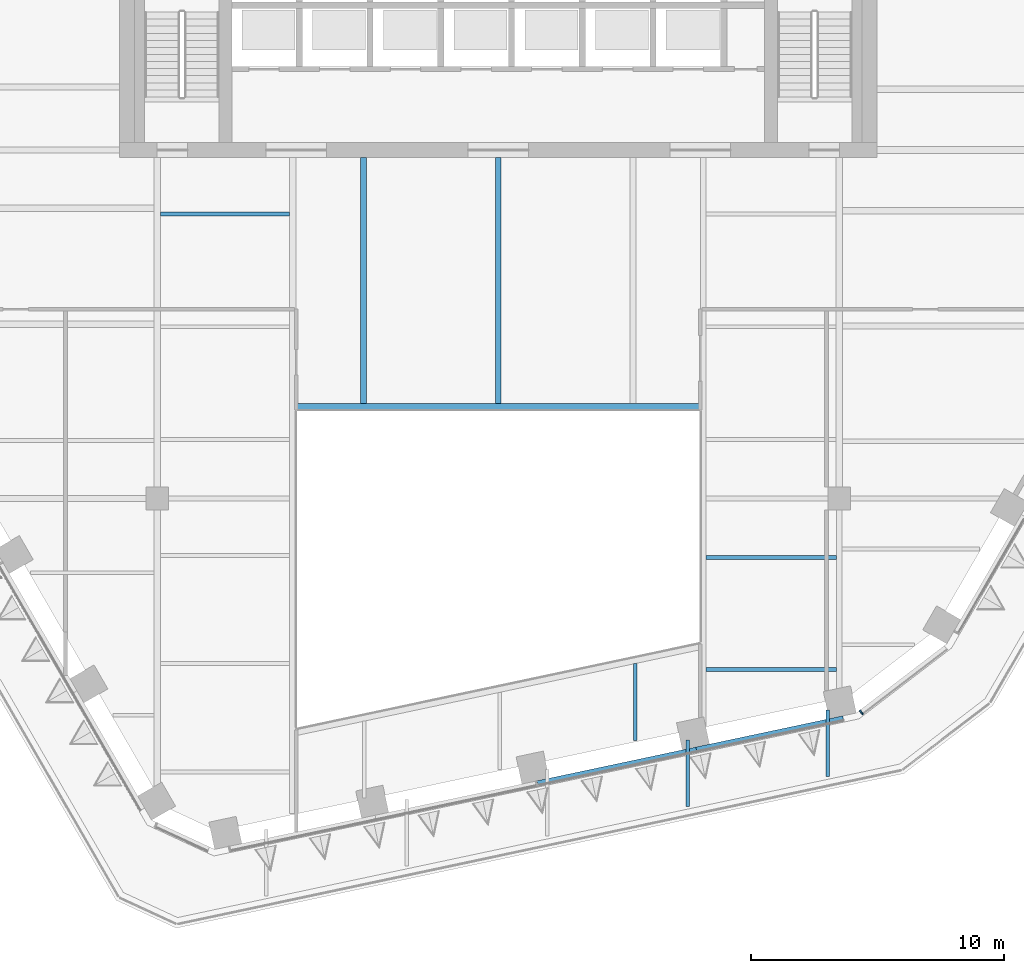
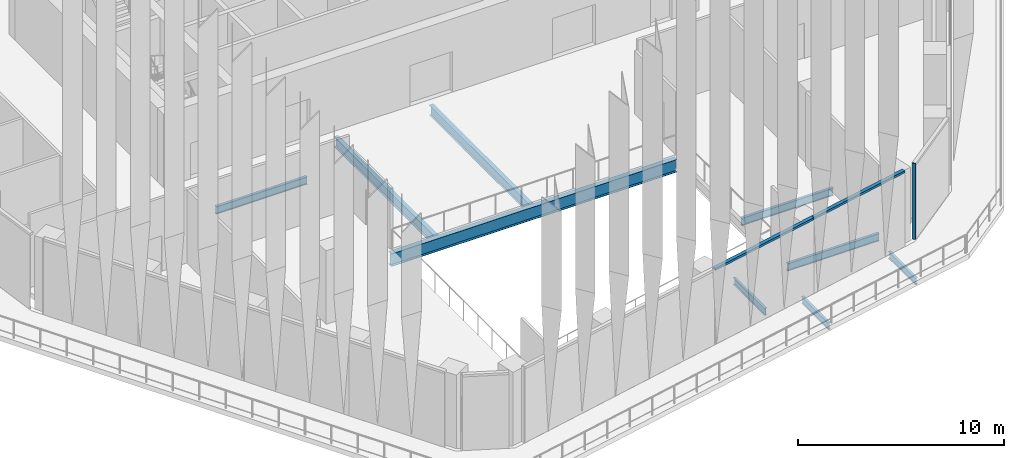
# One storey, part 4 of 21: 9 beams, 3 members, 2 elements without a shape of their own.
"""IFC4 building model written with IfcOpenShell, lengths in metres."""

from ifc_helpers import new_model, si_unit, direction, frame, origin, origin_2d, place, context, subcontext, project, spatial, rectangle, i_section, extrude, material, layer, layer_set, material_profile, profile_set, type_object, element, aggregate, save


model = new_model("IFC4")

# Units and contexts
model_context = context("Model", 3, precision=1e-05, world=origin(), true_north=direction((0.0, 1.0)))
body_context = subcontext(model_context, "Body", "Model", "MODEL_VIEW")
ifc_project = project(units=[si_unit("LENGTHUNIT", "METRE"), si_unit("AREAUNIT", "SQUARE_METRE"), si_unit("VOLUMEUNIT", "CUBIC_METRE"), si_unit("PLANEANGLEUNIT", "RADIAN"), si_unit("MASSUNIT", "GRAM", prefix="KILO")], contexts=[model_context])

# Site, building, storey
site_placement = place(None, origin())
site = spatial("IfcSite", under=ifc_project, at=site_placement, CompositionType="ELEMENT")
building_placement = place(site_placement, origin())
building = spatial("IfcBuilding", under=site, at=building_placement, Name="Isthmus Gate Tower", CompositionType="ELEMENT")
storey_placement = place(building_placement, frame((0.0, 0.0, 211.800048828125)))
storey = spatial("IfcBuildingStorey", under=building, at=storey_placement, Name="L53", CompositionType="ELEMENT", Elevation=211.800048828125)

# Curtain wall, member
ifc_material_1 = material(Name="Aluminium, pale champagne anodised", Category="aluminium")
ifc_layer = layer(ifc_material_1, 0.199951171875)
ifc_layer_set = layer_set([ifc_layer], Name="CW-1 UNITISED CURTAIN WALL 200 DEEP")
curtain_wall_type = type_object("IfcCurtainWallType", Name="CW-1 UNITISED CURTAIN WALL 200 DEEP", PredefinedType="NOTDEFINED", material=ifc_layer_set)
curtain_wall_1_placement = place(storey_placement, origin())
curtain_wall_1 = element("IfcCurtainWall", 1, at=curtain_wall_1_placement, inside=storey, type_object=curtain_wall_type, Name="CW-1 S-SE L53", PredefinedType="NOTDEFINED")
ifc_material_2 = material(Name="Aluminium, pale champagne anodised", Category="aluminium")
ifc_material_profile_1 = material_profile(ifc_material_2, rectangle(XDim=0.06005859375, YDim=0.199951171875, at=origin_2d()), Name="60x200")
ifc_profile_set_1 = profile_set([ifc_material_profile_1], Name="Aluminium, pale champagne anodised")
member_type_1 = type_object("IfcMemberType", Name="CW-1 MULLION 60 X 200", PredefinedType="MULLION", material=ifc_profile_set_1)
member_1_placement = place(storey_placement, frame((14.3720703125, -21.961669921875, 0.0), z_axis=(0.0, 0.0, 1.0), x_axis=(0.794188594387, 0.607671355706, 0.0)))
member_1 = element("IfcMember", 2, at=member_1_placement, type_object=member_type_1, Name="CW-1 mullion", PredefinedType="MULLION", context=body_context, shape_type="SweptSolid", body=[
    extrude(rectangle(XDim=0.06005859375, YDim=0.199951171875, at=origin_2d()), origin(), (0.0, 0.0, 1.0), 4.5),
])
aggregate(curtain_wall_1, [member_1])

# Curtain wall, members
curtain_wall_2_placement = place(storey_placement, origin())
curtain_wall_2 = element("IfcCurtainWall", 3, at=curtain_wall_2_placement, inside=storey, type_object=curtain_wall_type, Name="CW-1 S L53", PredefinedType="NOTDEFINED")
ifc_material_3 = material(Name="Aluminium, pale champagne anodised", Category="aluminium")
ifc_material_profile_2 = material_profile(ifc_material_3, rectangle(XDim=0.199951171875, YDim=0.1298828125, at=origin_2d()), Name="200x130")
ifc_profile_set_2 = profile_set([ifc_material_profile_2], Name="Aluminium, pale champagne anodised")
member_type_2 = type_object("IfcMemberType", Name="CW-1 TRANSOM 200 X 130", PredefinedType="USERDEFINED", material=ifc_profile_set_2)
member_2_placement = place(storey_placement, frame((1.5537109375, -24.77197265625, 4.43505859375), z_axis=(0.978150457162, 0.207898251926, 0.0), x_axis=(-0.207898251926, 0.978150457162, 0.0)))
member_2 = element("IfcMember", 4, at=member_2_placement, type_object=member_type_2, Name="CW-1 transom", ObjectType="TRANSOM", PredefinedType="USERDEFINED", context=body_context, shape_type="SweptSolid", body=[
    extrude(rectangle(XDim=0.199951171875, YDim=0.1298828125, at=origin_2d()), origin(), (0.0, 0.0, 1.0), 6.431884765625),
])
member_3_placement = place(storey_placement, frame((7.844970703125, -23.434814453125, 4.43505859375), z_axis=(0.978148616043, 0.207906914105, 0.0), x_axis=(-0.207906914105, 0.978148616043, 0.0)))
member_3 = element("IfcMember", 5, at=member_3_placement, type_object=member_type_2, Name="CW-1 transom", ObjectType="TRANSOM", PredefinedType="USERDEFINED", context=body_context, shape_type="SweptSolid", body=[
    extrude(rectangle(XDim=0.199951171875, YDim=0.1298828125, at=origin_2d()), origin(), (0.0, 0.0, 1.0), 5.94189453125),
])
aggregate(curtain_wall_2, [member_2, member_3])

# Beams
ifc_material_4 = material(Name="Structural steel ASTM A992 Gr 50", Category="steel")
ifc_material_profile_3 = material_profile(ifc_material_4, i_section(OverallWidth=0.1396484375, OverallDepth=0.4033203125, WebThickness=0.00634765625, FlangeThickness=0.010986328125, at=origin_2d()), Name="W16X31")
ifc_profile_set_3 = profile_set([ifc_material_profile_3], Name="Structural steel ASTM A992 Gr 50")
beam_type_1 = type_object("IfcBeamType", Name="STEEL FLOOR BEAM W16X31", PredefinedType="JOIST", material=ifc_profile_set_3)
beam_1_placement = place(storey_placement, frame((5.428466796875, -23.076171875, -0.501708984375), z_axis=(0.0, 1.0, 0.0), x_axis=(-1.0, 0.0, 0.0)))
element("IfcBeam", 6, at=beam_1_placement, inside=storey, type_object=beam_type_1, Name="str-beam-L53-06-02", PredefinedType="JOIST", context=body_context, shape_type="SweptSolid", body=[
    extrude(i_section(OverallWidth=0.1396484375, OverallDepth=0.4033203125, WebThickness=0.00634765625, FlangeThickness=0.010986328125, at=origin_2d()), origin(), (0.0, 0.0, 1.0), 3.046875),
])
ifc_material_5 = material(Name="Structural steel ASTM A992 Gr 50", Category="steel")
ifc_material_profile_4 = material_profile(ifc_material_5, i_section(OverallWidth=0.15234375, OverallDepth=0.45068359375, WebThickness=0.0078125, FlangeThickness=0.010986328125, at=origin_2d()), Name="W18X35")
ifc_profile_set_4 = profile_set([ifc_material_profile_4], Name="Structural steel ASTM A992 Gr 50")
beam_type_2 = type_object("IfcBeamType", Name="STEEL FLOOR BEAM W18X35", PredefinedType="JOIST", material=ifc_profile_set_4)
beam_2_placement = place(storey_placement, frame((-13.3681640625, -2.232421875, -0.525390625), z_axis=(1.0, 0.0, 0.0), x_axis=(0.0, 1.0, 0.0)))
element("IfcBeam", 7, at=beam_2_placement, inside=storey, type_object=beam_type_2, Name="str-beam-L53-03-02", PredefinedType="JOIST", context=body_context, shape_type="SweptSolid", body=[
    extrude(i_section(OverallWidth=0.15234375, OverallDepth=0.45068359375, WebThickness=0.0078125, FlangeThickness=0.010986328125, at=origin_2d()), origin(), (0.0, 0.0, 1.0), 5.104736328125),
])
for number, where, z_axis, x_axis, name in (
    (8, (8.228515625, -20.265625, -0.525390625), (1.0, 0.0, 0.0), (0.0, 1.0, 0.0), "str-beam-L53-09-00"),
    (9, (8.228515625, -15.824951171875, -0.525390625), (1.0, 0.0, 0.0), (0.0, 1.0, 0.0), "str-beam-L53-09-01"),
):
    element("IfcBeam", number, at=place(storey_placement, frame(where, z_axis=z_axis, x_axis=x_axis)), inside=storey, type_object=beam_type_2, Name=name, PredefinedType="JOIST", context=body_context, shape_type="SweptSolid", body=[
        extrude(i_section(OverallWidth=0.15234375, OverallDepth=0.45068359375, WebThickness=0.0078125, FlangeThickness=0.010986328125, at=origin_2d()), origin(), (0.0, 0.0, 1.0), 5.1572265625),
    ])
ifc_material_6 = material(Name="Structural steel ASTM A992 Gr 50", Category="steel")
ifc_material_profile_5 = material_profile(ifc_material_6, i_section(OverallWidth=0.228515625, OverallDepth=0.603271484375, WebThickness=0.010986328125, FlangeThickness=0.014404296875, at=origin_2d()), Name="W24X68")
ifc_profile_set_5 = profile_set([ifc_material_profile_5], Name="Structural steel ASTM A992 Gr 50")
beam_type_3 = type_object("IfcBeamType", Name="STEEL FLOOR BEAM W24X68", PredefinedType="JOIST", material=ifc_profile_set_5)
for number, where, z_axis, x_axis, name in (
    (10, (-5.333251953125, -9.7333984375, -0.6015625), (0.0, 1.0, 0.0), (-1.0, 0.0, 0.0), "str-beam-L53-07-00"),
    (11, (0.0, -9.7333984375, -0.6015625), (0.0, 1.0, 0.0), (-1.0, 0.0, 0.0), "str-beam-L53-07-01"),
):
    element("IfcBeam", number, at=place(storey_placement, frame(where, z_axis=z_axis, x_axis=x_axis)), inside=storey, type_object=beam_type_3, Name=name, PredefinedType="JOIST", context=body_context, shape_type="SweptSolid", body=[
        extrude(i_section(OverallWidth=0.228515625, OverallDepth=0.603271484375, WebThickness=0.010986328125, FlangeThickness=0.014404296875, at=origin_2d()), origin(), (0.0, 0.0, 1.0), 9.7333984375),
    ])
ifc_material_7 = material(Name="Structural steel ASTM A992 Gr 50", Category="steel")
ifc_material_profile_6 = material_profile(ifc_material_7, i_section(OverallWidth=0.1396484375, OverallDepth=0.4033203125, WebThickness=0.00634765625, FlangeThickness=0.010986328125, at=origin_2d()), Name="W16X31")
ifc_profile_set_6 = profile_set([ifc_material_profile_6], Name="Structural steel ASTM A992 Gr 50")
beam_type_4 = type_object("IfcBeamType", Name="STEEL LEDGE BEAM W16X31", PredefinedType="JOIST", material=ifc_profile_set_6)
for number, where, z_axis, x_axis, name in (
    (12, (7.495361328125, -25.6796875, -0.501708984375), (0.0, 1.0, 0.0), (-1.0, 0.0, 0.0), "str-ringbeam-L53-00-12"),
    (13, (13.05224609375, -24.49853515625, -0.501708984375), (0.0, 1.0, 0.0), (-1.0, 0.0, 0.0), "str-ringbeam-L53-00-14"),
):
    element("IfcBeam", number, at=place(storey_placement, frame(where, z_axis=z_axis, x_axis=x_axis)), inside=storey, type_object=beam_type_4, Name=name, PredefinedType="JOIST", context=body_context, shape_type="SweptSolid", body=[
        extrude(i_section(OverallWidth=0.1396484375, OverallDepth=0.4033203125, WebThickness=0.00634765625, FlangeThickness=0.010986328125, at=origin_2d()), origin(), (0.0, 0.0, 1.0), 2.62744140625),
    ])
ifc_material_8 = material(Name="Structural steel ASTM A992 Gr 50", Category="steel")
ifc_material_profile_7 = material_profile(ifc_material_8, i_section(OverallWidth=0.2666015625, OverallDepth=0.7587890625, WebThickness=0.014404296875, FlangeThickness=0.01904296875, at=origin_2d()), Name="W30X108")
ifc_profile_set_7 = profile_set([ifc_material_profile_7], Name="Structural steel ASTM A992 Gr 50")
beam_type_5 = type_object("IfcBeamType", Name="STEEL TRIMMER W30X108", PredefinedType="BEAM", material=ifc_profile_set_7)
beam_3_placement = place(storey_placement, frame((8.0, -9.86669921875, -0.679443359375), z_axis=(-1.0, 0.0, 0.0), x_axis=(0.0, -1.0, 0.0)))
element("IfcBeam", 14, at=beam_3_placement, inside=storey, type_object=beam_type_5, Name="str-trimmer-L53-04", PredefinedType="BEAM", context=body_context, shape_type="SweptSolid", body=[
    extrude(i_section(OverallWidth=0.2666015625, OverallDepth=0.7587890625, WebThickness=0.014404296875, FlangeThickness=0.01904296875, at=origin_2d()), origin(), (0.0, 0.0, 1.0), 16.0),
])

save(model, "model.ifc")
